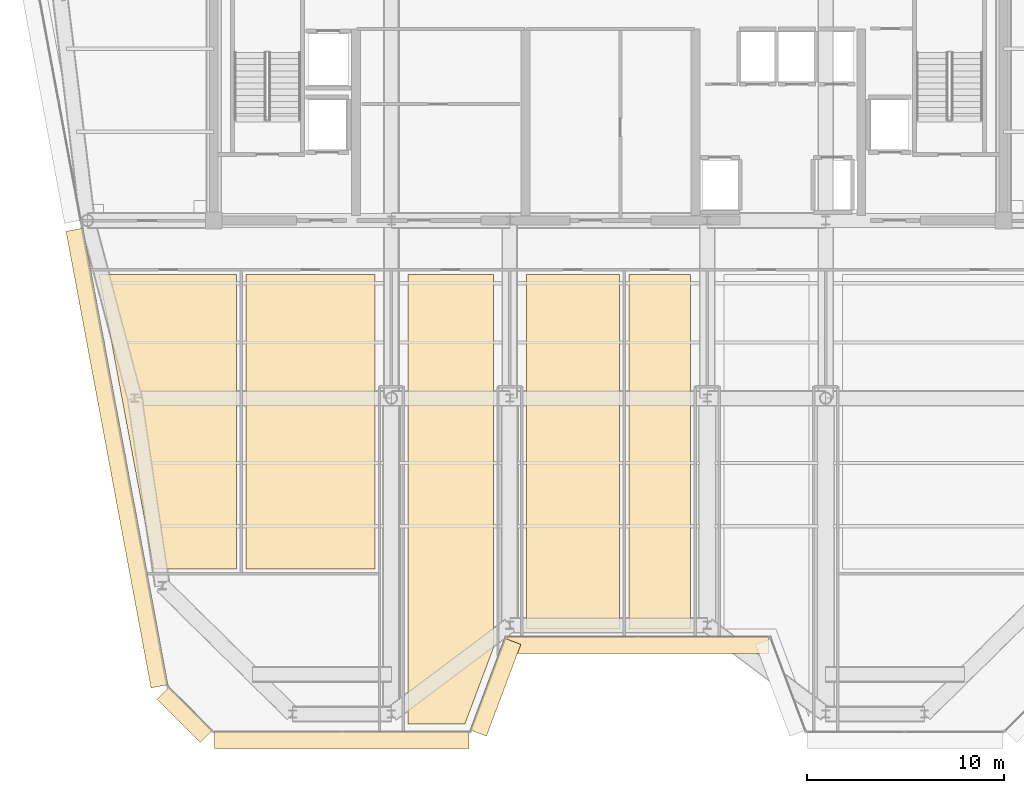
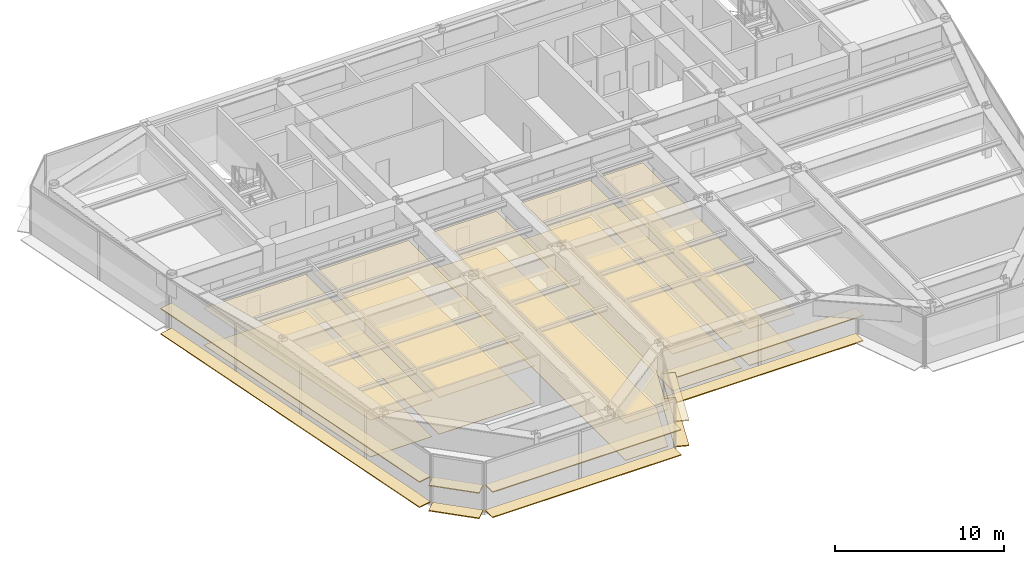
# One storey, part 13 of 18: 20 coverings.
"""IFC4 building model written with IfcOpenShell, lengths in metres."""

from ifc_helpers import new_model, si_unit, direction, frame, origin, origin_2d, place, context, subcontext, project, spatial, polyline, rectangle, outline, extrude, source, transform, mapped, material, layer, layer_set, type_object, element, save


model = new_model("IFC4")

# Units and contexts
model_context = context("Model", 3, precision=1e-05, world=origin(), true_north=direction((0.0, 1.0)))
body_context = subcontext(model_context, "Body", "Model", "MODEL_VIEW")
ifc_project = project(units=[si_unit("LENGTHUNIT", "METRE"), si_unit("AREAUNIT", "SQUARE_METRE"), si_unit("VOLUMEUNIT", "CUBIC_METRE"), si_unit("PLANEANGLEUNIT", "RADIAN"), si_unit("MASSUNIT", "GRAM", prefix="KILO")], contexts=[model_context])

# Site, building, storey
site_placement = place(None, origin())
site = spatial("IfcSite", under=ifc_project, at=site_placement, CompositionType="ELEMENT")
building_placement = place(site_placement, origin())
building = spatial("IfcBuilding", under=site, at=building_placement, Name="Vaeldorn Concourse Tower", CompositionType="ELEMENT")
storey_placement = place(building_placement, frame((0.0, 0.0, 265.0)))
storey = spatial("IfcBuildingStorey", under=building, at=storey_placement, Name="L68", CompositionType="ELEMENT", Elevation=265.0)

# Coverings
ifc_material_1 = material(Name="Acoustic Mineral Fibre Board", Category="gypsum")
ifc_layer_1 = layer(ifc_material_1, 0.0400390625)
ifc_layer_set_1 = layer_set([ifc_layer_1], Name="Acoustic Mineral Fibre Board")
covering_type_1 = type_object("IfcCoveringType", Name="COV-CEIL-ACOUSTIC", PredefinedType="CEILING", material=ifc_layer_set_1)
covering_1_placement = place(storey_placement, frame((0.0, 0.0, 2.64990234375)))
element("IfcCovering", 1, at=covering_1_placement, inside=storey, type_object=covering_type_1, Name="Suspended Acoustic Ceiling L68-6", PredefinedType="CEILING", context=body_context, shape_type="SweptSolid", body=[
    extrude(outline(polyline([(15.159912109375, 33.760009765625), (15.159912109375, 18.840087890625), (10.966796875, 18.840087890625), (8.188720703125, 33.760009765625), (15.159912109375, 33.760009765625)])), origin(), (0.0, 0.0, 1.0), 0.0400390625),
])
covering_2_placement = place(storey_placement, frame((0.0, 0.0, 2.64990234375)))
element("IfcCovering", 2, at=covering_2_placement, inside=storey, type_object=covering_type_1, Name="Suspended Acoustic Ceiling L68-7", PredefinedType="CEILING", context=body_context, shape_type="SweptSolid", body=[
    extrude(outline(polyline([(15.639892578125, 33.760009765625), (22.159912109375, 33.760009765625), (22.159912109375, 18.840087890625), (15.639892578125, 18.840087890625), (15.639892578125, 33.760009765625)])), origin(), (0.0, 0.0, 1.0), 0.0400390625),
])
covering_3_placement = place(storey_placement, frame((0.0, 0.0, 2.64990234375)))
element("IfcCovering", 3, at=covering_3_placement, inside=storey, type_object=covering_type_1, Name="Suspended Acoustic Ceiling L68-8", PredefinedType="CEILING", context=body_context, shape_type="SweptSolid", body=[
    extrude(outline(polyline([(23.840087890625, 11.0), (23.840087890625, 33.760009765625), (28.159912109375, 33.760009765625), (28.159912109375, 14.83251953125), (26.722900390625, 11.0), (23.840087890625, 11.0)])), origin(), (0.0, 0.0, 1.0), 0.0400390625),
])
covering_4_placement = place(storey_placement, frame((0.0, 0.0, 2.64990234375)))
element("IfcCovering", 4, at=covering_4_placement, inside=storey, type_object=covering_type_1, Name="Suspended Acoustic Ceiling L68-9", PredefinedType="CEILING", context=body_context, shape_type="SweptSolid", body=[
    extrude(outline(polyline([(29.840087890625, 33.760009765625), (34.56005859375, 33.760009765625), (34.56005859375, 15.800048828125), (29.840087890625, 15.800048828125), (29.840087890625, 33.760009765625)])), origin(), (0.0, 0.0, 1.0), 0.0400390625),
])
covering_5_placement = place(storey_placement, frame((0.0, 0.0, 2.64990234375)))
element("IfcCovering", 5, at=covering_5_placement, inside=storey, type_object=covering_type_1, Name="Suspended Acoustic Ceiling L68-10", PredefinedType="CEILING", context=body_context, shape_type="SweptSolid", body=[
    extrude(outline(polyline([(35.0400390625, 33.760009765625), (38.159912109375, 33.760009765625), (38.159912109375, 15.800048828125), (35.0400390625, 15.800048828125), (35.0400390625, 33.760009765625)])), origin(), (0.0, 0.0, 1.0), 0.0400390625),
])
ifc_material_2 = material(Name="Honed Limestone Terrazzo Flooring", Category="masonry")
ifc_layer_2 = layer(ifc_material_2, 0.0400390625)
ifc_layer_set_2 = layer_set([ifc_layer_2], Name="Honed Limestone Terrazzo Flooring")
covering_type_2 = type_object("IfcCoveringType", Name="COV-FLOOR-STONE", PredefinedType="FLOORING", material=ifc_layer_set_2)
covering_6_placement = place(storey_placement, origin())
element("IfcCovering", 6, at=covering_6_placement, inside=storey, type_object=covering_type_2, Name="Floor Finish Covering L68-6", PredefinedType="FLOORING", context=body_context, shape_type="SweptSolid", body=[
    extrude(outline(polyline([(15.159912109375, 33.760009765625), (15.159912109375, 18.840087890625), (10.966796875, 18.840087890625), (8.188720703125, 33.760009765625), (15.159912109375, 33.760009765625)])), origin(), (0.0, 0.0, 1.0), 0.030029296875),
])
covering_7_placement = place(storey_placement, origin())
element("IfcCovering", 7, at=covering_7_placement, inside=storey, type_object=covering_type_2, Name="Floor Finish Covering L68-7", PredefinedType="FLOORING", context=body_context, shape_type="SweptSolid", body=[
    extrude(outline(polyline([(15.639892578125, 33.760009765625), (22.159912109375, 33.760009765625), (22.159912109375, 18.840087890625), (15.639892578125, 18.840087890625), (15.639892578125, 33.760009765625)])), origin(), (0.0, 0.0, 1.0), 0.030029296875),
])
covering_8_placement = place(storey_placement, origin())
element("IfcCovering", 8, at=covering_8_placement, inside=storey, type_object=covering_type_2, Name="Floor Finish Covering L68-8", PredefinedType="FLOORING", context=body_context, shape_type="SweptSolid", body=[
    extrude(outline(polyline([(23.840087890625, 11.0), (23.840087890625, 33.760009765625), (28.159912109375, 33.760009765625), (28.159912109375, 14.83251953125), (26.722900390625, 11.0), (23.840087890625, 11.0)])), origin(), (0.0, 0.0, 1.0), 0.030029296875),
])
covering_9_placement = place(storey_placement, origin())
element("IfcCovering", 9, at=covering_9_placement, inside=storey, type_object=covering_type_2, Name="Floor Finish Covering L68-9", PredefinedType="FLOORING", context=body_context, shape_type="SweptSolid", body=[
    extrude(outline(polyline([(29.840087890625, 33.760009765625), (34.56005859375, 33.760009765625), (34.56005859375, 15.800048828125), (29.840087890625, 15.800048828125), (29.840087890625, 33.760009765625)])), origin(), (0.0, 0.0, 1.0), 0.030029296875),
])
covering_10_placement = place(storey_placement, origin())
element("IfcCovering", 10, at=covering_10_placement, inside=storey, type_object=covering_type_2, Name="Floor Finish Covering L68-10", PredefinedType="FLOORING", context=body_context, shape_type="SweptSolid", body=[
    extrude(outline(polyline([(35.0400390625, 33.760009765625), (38.159912109375, 33.760009765625), (38.159912109375, 15.800048828125), (35.0400390625, 15.800048828125), (35.0400390625, 33.760009765625)])), origin(), (0.0, 0.0, 1.0), 0.030029296875),
])
ifc_material_3 = material(Name="Anodised Bronze Aluminium", Category="aluminium")
ifc_layer_3 = layer(ifc_material_3, 0.06494140625)
ifc_layer_set_3 = layer_set([ifc_layer_3], Name="Anodised Bronze Aluminium")
covering_type_3 = type_object("IfcCoveringType", Name="SD-BRONZE-SUNSHADE", PredefinedType="USERDEFINED", material=ifc_layer_set_3)
shared_shape_1 = source(origin(), body_context, "Body", "SweptSolid", [
    extrude(rectangle(XDim=4.96630859375, YDim=0.8798828125, at=origin_2d()), origin(), (0.0, 0.0, 1.0), 0.06494140625),
])
for number, where, z_axis, x_axis, name in (
    (11, (28.2744140625, 12.859619140625, 0.047607421875), (0.0, 0.0, 1.0), (0.351122702609, 0.936329454686, 0.0), "Horizontal Bronze Sunshade L68-E02.1.1"),
    (12, (28.2744140625, 12.859619140625, 1.867431640625), (0.0, 0.0, 1.0), (0.351122702609, 0.936329454686, 0.0), "Horizontal Bronze Sunshade L68-E02.1.2"),
):
    element("IfcCovering", number, at=place(storey_placement, frame(where, z_axis=z_axis, x_axis=x_axis)), inside=storey, type_object=covering_type_3, Name=name, ObjectType="SUNSHADE", PredefinedType="USERDEFINED", context=body_context, shape_type="MappedRepresentation", body=[
        mapped(shared_shape_1, transform((0.0, 0.0, 0.0), scale=1.0)),
    ])
shared_shape_2 = source(origin(), body_context, "Body", "SweptSolid", [
    extrude(rectangle(XDim=13.239990234375, YDim=0.8798828125, at=origin_2d()), origin(), (0.0, 0.0, 1.0), 0.06494140625),
])
for number, where, z_axis, x_axis, name in (
    (13, (35.5, 15.0, 0.047607421875), (0.0, 0.0, 1.0), (1.0, 0.0, 0.0), "Horizontal Bronze Sunshade L68-E03.1.1"),
    (14, (35.5, 15.0, 1.867431640625), (0.0, 0.0, 1.0), (1.0, 0.0, 0.0), "Horizontal Bronze Sunshade L68-E03.1.2"),
):
    element("IfcCovering", number, at=place(storey_placement, frame(where, z_axis=z_axis, x_axis=x_axis)), inside=storey, type_object=covering_type_3, Name=name, ObjectType="SUNSHADE", PredefinedType="USERDEFINED", context=body_context, shape_type="MappedRepresentation", body=[
        mapped(shared_shape_2, transform((0.0, 0.0, 0.0), scale=1.0)),
    ])
shared_shape_3 = source(origin(), body_context, "Body", "SweptSolid", [
    extrude(rectangle(XDim=3.0927734375, YDim=0.8798828125, at=origin_2d()), origin(), (0.0, 0.0, 1.0), 0.06494140625),
])
for number, where, z_axis, x_axis, name in (
    (15, (12.533203125, 11.46728515625, 0.047607421875), (0.0, 0.0, 1.0), (0.707106781187, -0.707106781187, 0.0), "Horizontal Bronze Sunshade L68-E12.1.1"),
    (16, (12.533203125, 11.46728515625, 1.867431640625), (0.0, 0.0, 1.0), (0.707106781187, -0.707106781187, 0.0), "Horizontal Bronze Sunshade L68-E12.1.2"),
):
    element("IfcCovering", number, at=place(storey_placement, frame(where, z_axis=z_axis, x_axis=x_axis)), inside=storey, type_object=covering_type_3, Name=name, ObjectType="SUNSHADE", PredefinedType="USERDEFINED", context=body_context, shape_type="MappedRepresentation", body=[
        mapped(shared_shape_3, transform((0.0, 0.0, 0.0), scale=1.0)),
    ])
shared_shape_4 = source(origin(), body_context, "Body", "SweptSolid", [
    extrude(rectangle(XDim=23.525146484375, YDim=0.8798828125, at=origin_2d()), origin(), (0.0, 0.0, 1.0), 0.06494140625),
])
for number, where, z_axis, x_axis, name in (
    (17, (9.10498046875, 24.46923828125, 0.047607421875), (0.0, 0.0, 1.0), (0.183059191151, -0.983101893262, 0.0), "Horizontal Bronze Sunshade L68-E11.2.1"),
    (18, (9.10498046875, 24.46923828125, 1.867431640625), (0.0, 0.0, 1.0), (0.183059191151, -0.983101893262, 0.0), "Horizontal Bronze Sunshade L68-E11.2.2"),
):
    element("IfcCovering", number, at=place(storey_placement, frame(where, z_axis=z_axis, x_axis=x_axis)), inside=storey, type_object=covering_type_3, Name=name, ObjectType="SUNSHADE", PredefinedType="USERDEFINED", context=body_context, shape_type="MappedRepresentation", body=[
        mapped(shared_shape_4, transform((0.0, 0.0, 0.0), scale=1.0)),
    ])
shared_shape_5 = source(origin(), body_context, "Body", "SweptSolid", [
    extrude(rectangle(XDim=12.8740234375, YDim=0.8798828125, at=origin_2d()), origin(), (0.0, 0.0, 1.0), 0.06494140625),
])
for number, where, z_axis, x_axis, name in (
    (19, (20.48291015625, 10.199951171875, 0.047607421875), (0.0, 0.0, 1.0), (1.0, 0.0, 0.0), "Horizontal Bronze Sunshade L68-E01.1.1"),
    (20, (20.48291015625, 10.199951171875, 1.867431640625), (0.0, 0.0, 1.0), (1.0, 0.0, 0.0), "Horizontal Bronze Sunshade L68-E01.1.2"),
):
    element("IfcCovering", number, at=place(storey_placement, frame(where, z_axis=z_axis, x_axis=x_axis)), inside=storey, type_object=covering_type_3, Name=name, ObjectType="SUNSHADE", PredefinedType="USERDEFINED", context=body_context, shape_type="MappedRepresentation", body=[
        mapped(shared_shape_5, transform((0.0, 0.0, 0.0), scale=1.0)),
    ])

save(model, "model.ifc")
